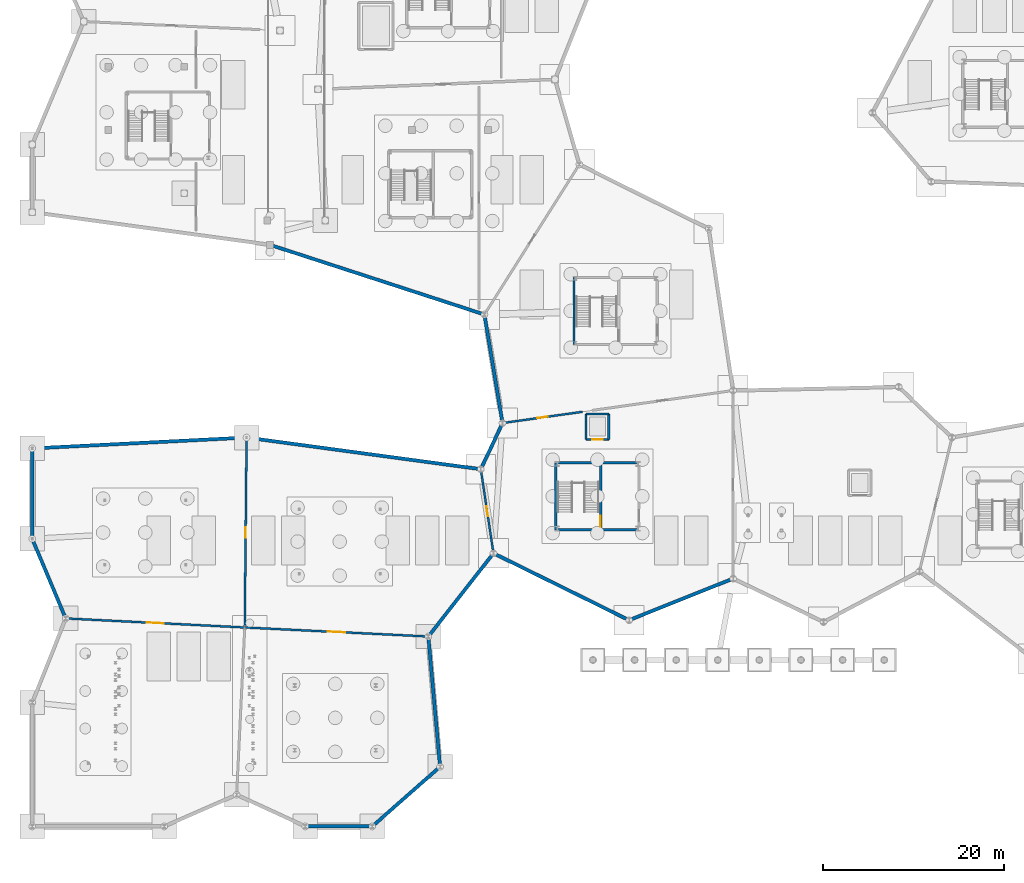
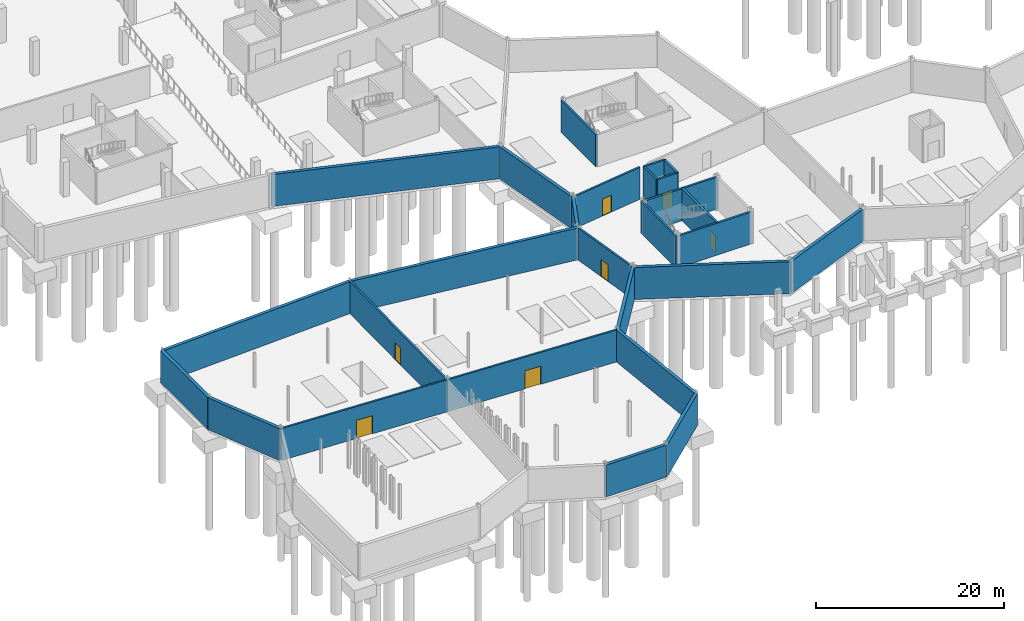
# One storey, part 26 of 37: 27 walls, 7 doors, 7 openings.
"""IFC4 building model written with IfcOpenShell, lengths in metres."""

from ifc_helpers import new_model, si_unit, direction, frame, frame_2d, origin, place, context, subcontext, project, spatial, rectangle, extrude, material, layer, layer_set, type_object, element, fill, save


model = new_model("IFC4")

# Units and contexts
model_context = context("Model", 3, precision=1e-05, world=origin(), true_north=direction((0.0, 1.0)))
body_context = subcontext(model_context, "Body", "Model", "MODEL_VIEW")
ifc_project = project(units=[si_unit("LENGTHUNIT", "METRE"), si_unit("AREAUNIT", "SQUARE_METRE"), si_unit("VOLUMEUNIT", "CUBIC_METRE"), si_unit("PLANEANGLEUNIT", "RADIAN"), si_unit("MASSUNIT", "GRAM", prefix="KILO")], contexts=[model_context])

# Site, building, storey
site_placement = place(None, origin())
site = spatial("IfcSite", under=ifc_project, at=site_placement, CompositionType="ELEMENT")
building_placement = place(site_placement, origin())
building = spatial("IfcBuilding", under=site, at=building_placement, Name="Tameran Prism Museum", CompositionType="ELEMENT")
storey_placement = place(building_placement, frame((0.0, 0.0, -4.5)))
storey = spatial("IfcBuildingStorey", under=building, at=storey_placement, Name="B1", CompositionType="ELEMENT", Elevation=-4.5)

# Walls
ifc_material_1 = material(Name="Concrete N40 (40 MPa)", Category="concrete")
ifc_layer_1 = layer(ifc_material_1, 0.3798828125)
ifc_layer_set_1 = layer_set([ifc_layer_1])
wall_type_1 = type_object("IfcWallType", Name="EW-RET-380", PredefinedType="USERDEFINED", material=ifc_layer_set_1)
wall_1_placement = place(storey_placement, frame((51.044921875, 30.177978515625, 0.0), z_axis=(0.0, 0.0, 1.0), x_axis=(0.896803716147, -0.442428632329, 0.0)))
element("IfcWall", 1, at=wall_1_placement, inside=storey, type_object=wall_type_1, Name="Basement Retaining Wall RW-016", ObjectType="RETAININGWALL", PredefinedType="USERDEFINED", context=body_context, shape_type="SweptSolid", body=[
    extrude(rectangle(XDim=16.676025390625, YDim=0.3798828125, at=frame_2d((8.337890625, 0.0))), origin(), (0.0, 0.0, 1.0), 4.139892578125),
])
wall_2_placement = place(storey_placement, frame((66.0, 22.800048828125, 0.0), z_axis=(0.0, 0.0, 1.0), x_axis=(0.928493068362, 0.371349730044, 0.0)))
element("IfcWall", 2, at=wall_2_placement, inside=storey, type_object=wall_type_1, Name="Basement Retaining Wall RW-017", ObjectType="RETAININGWALL", PredefinedType="USERDEFINED", context=body_context, shape_type="SweptSolid", body=[
    extrude(rectangle(XDim=12.336181640625, YDim=0.3798828125, at=frame_2d((6.16796875, 0.0))), origin(), (0.0, 0.0, 1.0), 4.139892578125),
])
wall_3_placement = place(storey_placement, frame((51.97900390625, 44.554931640625, 0.0), z_axis=(0.0, 0.0, 1.0), x_axis=(-0.42583525687, -0.904800715078, 0.0)))
element("IfcWall", 3, at=wall_3_placement, inside=storey, type_object=wall_type_1, Name="Basement Retaining Wall RW-018", ObjectType="RETAININGWALL", PredefinedType="USERDEFINED", context=body_context, shape_type="SweptSolid", body=[
    extrude(rectangle(XDim=5.537109375, YDim=0.3798828125, at=frame_2d((2.7685546875, 0.0))), origin(), (0.0, 0.0, 1.0), 4.139892578125),
])
wall_4_placement = place(storey_placement, frame((50.008056640625, 56.551025390625, 0.0), z_axis=(0.0, 0.0, 1.0), x_axis=(0.164415392621, -0.986391189473, 0.0)))
element("IfcWall", 4, at=wall_4_placement, inside=storey, type_object=wall_type_1, Name="Basement Retaining Wall RW-023", ObjectType="RETAININGWALL", PredefinedType="USERDEFINED", context=body_context, shape_type="SweptSolid", body=[
    extrude(rectangle(XDim=12.06640625, YDim=0.3798828125, at=frame_2d((6.033203125, 0.0))), origin(), (0.0, 0.0, 1.0), 4.139892578125),
])
wall_5_placement = place(storey_placement, frame((30.199951171875, 0.0, 0.0), z_axis=(0.0, 0.0, 1.0), x_axis=(1.0, 0.0, 0.0)))
element("IfcWall", 5, at=wall_5_placement, inside=storey, type_object=wall_type_1, Name="Basement Retaining Wall RW-042", ObjectType="RETAININGWALL", PredefinedType="USERDEFINED", context=body_context, shape_type="SweptSolid", body=[
    extrude(rectangle(XDim=7.400146484375, YDim=0.3798828125, at=frame_2d((3.7001953125, 0.0))), origin(), (0.0, 0.0, 1.0), 4.139892578125),
])
wall_6_placement = place(storey_placement, frame((37.60009765625, 0.0, 0.0), z_axis=(0.0, 0.0, 1.0), x_axis=(0.75070866914, 0.660633403696, 0.0)))
element("IfcWall", 6, at=wall_6_placement, inside=storey, type_object=wall_type_1, Name="Basement Retaining Wall RW-043", ObjectType="RETAININGWALL", PredefinedType="USERDEFINED", context=body_context, shape_type="SweptSolid", body=[
    extrude(rectangle(XDim=9.990478515625, YDim=0.3798828125, at=frame_2d((4.9951171875, 0.0))), origin(), (0.0, 0.0, 1.0), 4.139892578125),
])
wall_7_placement = place(storey_placement, frame((45.10009765625, 6.60009765625, 0.0), z_axis=(0.0, 0.0, 1.0), x_axis=(-0.089958229703, 0.995945539128, 0.0)))
element("IfcWall", 7, at=wall_7_placement, inside=storey, type_object=wall_type_1, Name="Basement Retaining Wall RW-044", ObjectType="RETAININGWALL", PredefinedType="USERDEFINED", context=body_context, shape_type="SweptSolid", body=[
    extrude(rectangle(XDim=14.408203125, YDim=0.3798828125, at=frame_2d((7.2041015625, 0.0))), origin(), (0.0, 0.0, 1.0), 4.139892578125),
])
wall_8_placement = place(storey_placement, frame((23.64990234375, 42.9970703125, 0.0), z_axis=(0.0, 0.0, 1.0), x_axis=(-0.998721555916, -0.050549517793, 0.0)))
element("IfcWall", 8, at=wall_8_placement, inside=storey, type_object=wall_type_1, Name="Basement Retaining Wall RW-045", ObjectType="RETAININGWALL", PredefinedType="USERDEFINED", context=body_context, shape_type="SweptSolid", body=[
    extrude(rectangle(XDim=23.68017578125, YDim=0.3798828125, at=frame_2d((11.840087890625, 0.0))), origin(), (0.0, 0.0, 1.0), 4.139892578125),
])
wall_9_placement = place(storey_placement, frame((0.0, 41.800048828125, 0.0), z_axis=(0.0, 0.0, 1.0), x_axis=(0.0, -1.0, 0.0)))
element("IfcWall", 9, at=wall_9_placement, inside=storey, type_object=wall_type_1, Name="Basement Retaining Wall RW-046", ObjectType="RETAININGWALL", PredefinedType="USERDEFINED", context=body_context, shape_type="SweptSolid", body=[
    extrude(rectangle(XDim=10.0, YDim=0.3798828125, at=frame_2d((5.0, 0.0))), origin(), (0.0, 0.0, 1.0), 4.139892578125),
])
wall_10_placement = place(storey_placement, frame((0.0, 31.800048828125, 0.0), z_axis=(0.0, 0.0, 1.0), x_axis=(0.38760527231, -0.921825445992, 0.0)))
element("IfcWall", 10, at=wall_10_placement, inside=storey, type_object=wall_type_1, Name="Basement Retaining Wall RW-047", ObjectType="RETAININGWALL", PredefinedType="USERDEFINED", context=body_context, shape_type="SweptSolid", body=[
    extrude(rectangle(XDim=9.49658203125, YDim=0.3798828125, at=frame_2d((4.748291015625, 0.0))), origin(), (0.0, 0.0, 1.0), 4.139892578125),
])
wall_11_placement = place(storey_placement, frame((43.8310546875, 21.0390625, 0.0), z_axis=(0.0, 0.0, 1.0), x_axis=(0.616261088059, 0.787541917199, 0.0)))
element("IfcWall", 11, at=wall_11_placement, inside=storey, type_object=wall_type_1, Name="Basement Retaining Wall RW-048", ObjectType="RETAININGWALL", PredefinedType="USERDEFINED", context=body_context, shape_type="SweptSolid", body=[
    extrude(rectangle(XDim=11.582763671875, YDim=0.3798828125, at=frame_2d((5.79150390625, 0.0))), origin(), (0.0, 0.0, 1.0), 4.139892578125),
])
wall_12_placement = place(storey_placement, frame((49.550048828125, 39.507080078125, 0.0), z_axis=(0.0, 0.0, 1.0), x_axis=(-0.990995760024, 0.133893254555, 0.0)))
element("IfcWall", 12, at=wall_12_placement, inside=storey, type_object=wall_type_1, Name="Basement Retaining Wall RW-049", ObjectType="RETAININGWALL", PredefinedType="USERDEFINED", context=body_context, shape_type="SweptSolid", body=[
    extrude(rectangle(XDim=26.034423828125, YDim=0.3798828125, at=frame_2d((13.01708984375, 0.0))), origin(), (0.0, 0.0, 1.0), 4.139892578125),
])
wall_13_placement = place(storey_placement, frame((26.347900390625, 64.284912109375, 0.0), z_axis=(0.0, 0.0, 1.0), x_axis=(0.951054162367, -0.309024238927, 0.0)))
element("IfcWall", 13, at=wall_13_placement, inside=storey, type_object=wall_type_1, Name="Basement Retaining Wall RW-051", ObjectType="RETAININGWALL", PredefinedType="USERDEFINED", context=body_context, shape_type="SweptSolid", body=[
    extrude(rectangle(XDim=24.81982421875, YDim=0.3798828125, at=frame_2d((12.409912109375, 0.0))), origin(), (0.0, 0.0, 1.0), 4.139892578125),
])

# Wall, opening, door
ifc_material_2 = material(Name="Concrete N40 (40 MPa)", Category="concrete")
ifc_layer_2 = layer(ifc_material_2, 0.22509765625)
ifc_layer_set_2 = layer_set([ifc_layer_2])
wall_type_2 = type_object("IfcWallType", Name="IW-CMP-225", PredefinedType="SOLIDWALL", material=ifc_layer_set_2)
wall_14_placement = place(storey_placement, frame((60.85009765625, 45.84912109375, 0.0), z_axis=(0.0, 0.0, 1.0), x_axis=(-0.990187360524, -0.139746166523, 0.0)))
wall_14 = element("IfcWall", 14, at=wall_14_placement, inside=storey, type_object=wall_type_2, Name="Compartment Wall IW-0008", PredefinedType="SOLIDWALL", context=body_context, shape_type="SweptSolid", body=[
    extrude(rectangle(XDim=8.937744140625, YDim=0.22509765625, at=frame_2d((4.46875, 0.0))), origin(), (0.0, 0.0, 1.0), 4.139892578125),
])
opening_1_placement = place(wall_14_placement, frame((3.868896484375, 0.0, 0.0)))
opening_1 = element("IfcOpeningElement", 15, at=opening_1_placement, cuts=wall_14, Name="Opening ID-0008", PredefinedType="OPENING", context=body_context, shape_type="SweptSolid", body=[
    extrude(rectangle(XDim=1.199951171875, YDim=2.199951171875, at=frame_2d((0.60009765625, 1.10009765625))), frame((0.0, 0.12255859375, 0.0), z_axis=(0.0, -1.0, 0.0), x_axis=(1.0, 0.0, 0.0)), (0.0, 0.0, 1.0), 0.2451171875),
])
ifc_material_3 = material(Name="Fire-Rated Steel Door Leaf and Frame", Category="steel")
door_type_1 = type_object("IfcDoorType", Name="DR-FD-120A", OperationType="NOTDEFINED", PredefinedType="DOOR", material=ifc_material_3)
door_1_placement = place(opening_1_placement, origin())
door_1 = element("IfcDoor", 16, at=door_1_placement, inside=storey, type_object=door_type_1, Name="Compartment Door ID-0008", OperationType="SINGLE_SWING_LEFT", OverallHeight=2.199951171875, OverallWidth=1.199951171875, PredefinedType="DOOR", context=body_context, shape_type="SweptSolid", body=[
    extrude(rectangle(XDim=1.199951171875, YDim=2.199951171875, at=frame_2d((0.60009765625, 1.10009765625))), frame((0.0, 0.02490234375, 0.0), z_axis=(0.0, -1.0, 0.0), x_axis=(1.0, 0.0, 0.0)), (0.0, 0.0, 1.0), 0.050048828125),
])
fill(opening_1, door_1)

wall_15_placement = place(storey_placement, frame((49.60009765625, 39.5, 0.0), z_axis=(0.0, 0.0, 1.0), x_axis=(0.148849460064, -0.988859867847, 0.0)))
wall_15 = element("IfcWall", 17, at=wall_15_placement, inside=storey, type_object=wall_type_2, Name="Compartment Wall IW-0009", PredefinedType="SOLIDWALL", context=body_context, shape_type="SweptSolid", body=[
    extrude(rectangle(XDim=9.40478515625, YDim=0.22509765625, at=frame_2d((4.702392578125, 0.0))), origin(), (0.0, 0.0, 1.0), 4.139892578125),
])
opening_2_placement = place(wall_15_placement, frame((4.126953125, 0.0, 0.0)))
opening_2 = element("IfcOpeningElement", 18, at=opening_2_placement, cuts=wall_15, Name="Opening ID-0009", PredefinedType="OPENING", context=body_context, shape_type="SweptSolid", body=[
    extrude(rectangle(XDim=1.14990234375, YDim=2.199951171875, at=frame_2d((0.574951171875, 1.10009765625))), frame((0.0, 0.12255859375, 0.0), z_axis=(0.0, -1.0, 0.0), x_axis=(1.0, 0.0, 0.0)), (0.0, 0.0, 1.0), 0.2451171875),
])
ifc_material_4 = material(Name="Fire-Rated Steel Door Leaf and Frame", Category="steel")
door_type_2 = type_object("IfcDoorType", Name="DR-FD-120B", OperationType="NOTDEFINED", PredefinedType="DOOR", material=ifc_material_4)
door_2_placement = place(opening_2_placement, origin())
door_2 = element("IfcDoor", 19, at=door_2_placement, inside=storey, type_object=door_type_2, Name="Compartment Door ID-0009", OperationType="SINGLE_SWING_RIGHT", OverallHeight=2.199951171875, OverallWidth=1.14990234375, PredefinedType="DOOR", context=body_context, shape_type="SweptSolid", body=[
    extrude(rectangle(XDim=1.14990234375, YDim=2.199951171875, at=frame_2d((0.574951171875, 1.10009765625))), frame((0.0, 0.02490234375, 0.0), z_axis=(0.0, -1.0, 0.0), x_axis=(1.0, 0.0, 0.0)), (0.0, 0.0, 1.0), 0.050048828125),
])
fill(opening_2, door_2)

wall_16_placement = place(storey_placement, frame((23.5, 22.0, 0.0), z_axis=(0.0, 0.0, 1.0), x_axis=(-0.99872706092, 0.050440636263, 0.0)))
wall_16 = element("IfcWall", 20, at=wall_16_placement, inside=storey, type_object=wall_type_2, Name="Compartment Wall IW-0017", PredefinedType="SOLIDWALL", context=body_context, shape_type="SweptSolid", body=[
    extrude(rectangle(XDim=19.8251953125, YDim=0.22509765625, at=frame_2d((9.91259765625, 0.0))), origin(), (0.0, 0.0, 1.0), 4.139892578125),
])
opening_3_placement = place(wall_16_placement, frame((8.962890625, 0.0, 0.0)))
opening_3 = element("IfcOpeningElement", 21, at=opening_3_placement, cuts=wall_16, Name="Opening ID-0016", PredefinedType="OPENING", context=body_context, shape_type="SweptSolid", body=[
    extrude(rectangle(XDim=1.89990234375, YDim=2.35009765625, at=frame_2d((0.949951171875, 1.175048828125))), frame((0.0, 0.12255859375, 0.0), z_axis=(0.0, -1.0, 0.0), x_axis=(1.0, 0.0, 0.0)), (0.0, 0.0, 1.0), 0.2451171875),
])
ifc_material_5 = material(Name="Fire-Rated Steel Door Leaf and Frame", Category="steel")
door_type_3 = type_object("IfcDoorType", Name="DR-AUD-190", OperationType="DOUBLE_DOOR_SINGLE_SWING", PredefinedType="DOOR", material=ifc_material_5)
door_3_placement = place(opening_3_placement, origin())
door_3 = element("IfcDoor", 22, at=door_3_placement, inside=storey, type_object=door_type_3, Name="Compartment Door ID-0016", OperationType="DOUBLE_DOOR_SINGLE_SWING", OverallHeight=2.35009765625, OverallWidth=1.89990234375, PredefinedType="DOOR", context=body_context, shape_type="SweptSolid", body=[
    extrude(rectangle(XDim=1.89990234375, YDim=2.35009765625, at=frame_2d((0.949951171875, 1.175048828125))), frame((0.0, 0.02490234375, 0.0), z_axis=(0.0, -1.0, 0.0), x_axis=(1.0, 0.0, 0.0)), (0.0, 0.0, 1.0), 0.050048828125),
])
fill(opening_3, door_3)

wall_17_placement = place(storey_placement, frame((43.800048828125, 21.0, 0.0), z_axis=(0.0, 0.0, 1.0), x_axis=(-0.998788882418, 0.049201304434, 0.0)))
wall_17 = element("IfcWall", 23, at=wall_17_placement, inside=storey, type_object=wall_type_2, Name="Compartment Wall IW-0018", PredefinedType="SOLIDWALL", context=body_context, shape_type="SweptSolid", body=[
    extrude(rectangle(XDim=20.32470703125, YDim=0.22509765625, at=frame_2d((10.162353515625, 0.0))), origin(), (0.0, 0.0, 1.0), 4.139892578125),
])
opening_4_placement = place(wall_17_placement, frame((9.2119140625, 0.0, 0.0)))
opening_4 = element("IfcOpeningElement", 24, at=opening_4_placement, cuts=wall_17, Name="Opening ID-0017", PredefinedType="OPENING", context=body_context, shape_type="SweptSolid", body=[
    extrude(rectangle(XDim=1.89990234375, YDim=2.35009765625, at=frame_2d((0.949951171875, 1.175048828125))), frame((0.0, 0.12255859375, 0.0), z_axis=(0.0, -1.0, 0.0), x_axis=(1.0, 0.0, 0.0)), (0.0, 0.0, 1.0), 0.2451171875),
])
door_4_placement = place(opening_4_placement, origin())
door_4 = element("IfcDoor", 25, at=door_4_placement, inside=storey, type_object=door_type_3, Name="Compartment Door ID-0017", OperationType="DOUBLE_DOOR_SINGLE_SWING", OverallHeight=2.35009765625, OverallWidth=1.89990234375, PredefinedType="DOOR", context=body_context, shape_type="SweptSolid", body=[
    extrude(rectangle(XDim=1.89990234375, YDim=2.35009765625, at=frame_2d((0.949951171875, 1.175048828125))), frame((0.0, 0.02490234375, 0.0), z_axis=(0.0, -1.0, 0.0), x_axis=(1.0, 0.0, 0.0)), (0.0, 0.0, 1.0), 0.050048828125),
])
fill(opening_4, door_4)

wall_18_placement = place(storey_placement, frame((23.5, 22.0, 0.0), z_axis=(0.0, 0.0, 1.0), x_axis=(0.009521052802, 0.99995467375, 0.0)))
wall_18 = element("IfcWall", 26, at=wall_18_placement, inside=storey, type_object=wall_type_2, Name="Compartment Wall IW-0019", PredefinedType="SOLIDWALL", context=body_context, shape_type="SweptSolid", body=[
    extrude(rectangle(XDim=21.0009765625, YDim=0.22509765625, at=frame_2d((10.50048828125, 0.0))), origin(), (0.0, 0.0, 1.0), 4.139892578125),
])
opening_5_placement = place(wall_18_placement, frame((9.89990234375, 0.0, 0.0)))
opening_5 = element("IfcOpeningElement", 27, at=opening_5_placement, cuts=wall_18, Name="Opening ID-0018", PredefinedType="OPENING", context=body_context, shape_type="SweptSolid", body=[
    extrude(rectangle(XDim=1.199951171875, YDim=2.199951171875, at=frame_2d((0.60009765625, 1.10009765625))), frame((0.0, 0.12255859375, 0.0), z_axis=(0.0, -1.0, 0.0), x_axis=(1.0, 0.0, 0.0)), (0.0, 0.0, 1.0), 0.2451171875),
])
door_5_placement = place(opening_5_placement, origin())
door_5 = element("IfcDoor", 28, at=door_5_placement, inside=storey, type_object=door_type_1, Name="Compartment Door ID-0018", OperationType="SINGLE_SWING_LEFT", OverallHeight=2.199951171875, OverallWidth=1.199951171875, PredefinedType="DOOR", context=body_context, shape_type="SweptSolid", body=[
    extrude(rectangle(XDim=1.199951171875, YDim=2.199951171875, at=frame_2d((0.60009765625, 1.10009765625))), frame((0.0, 0.02490234375, 0.0), z_axis=(0.0, -1.0, 0.0), x_axis=(1.0, 0.0, 0.0)), (0.0, 0.0, 1.0), 0.050048828125),
])
fill(opening_5, door_5)

# Walls
ifc_material_6 = material(Name="Concrete N40 (40 MPa)", Category="concrete")
ifc_layer_3 = layer(ifc_material_6, 0.25)
ifc_layer_set_3 = layer_set([ifc_layer_3])
wall_type_3 = type_object("IfcWallType", Name="IW-COR-250", PredefinedType="SHEAR", material=ifc_layer_set_3)
wall_19_placement = place(storey_placement, frame((57.89990234375, 32.800048828125, 0.0), z_axis=(0.0, 0.0, 1.0), x_axis=(0.0, 1.0, 0.0)))
element("IfcWall", 29, at=wall_19_placement, inside=storey, type_object=wall_type_3, Name="Core Shear Wall CW-3-B1-W", PredefinedType="SHEAR", context=body_context, shape_type="SweptSolid", body=[
    extrude(rectangle(XDim=7.39990234375, YDim=0.25, at=frame_2d((3.699951171875, 0.0))), origin(), (0.0, 0.0, 1.0), 4.139892578125),
])
for number, where, z_axis, x_axis, name in (
    (30, (57.89990234375, 40.199951171875, 0.0), (0.0, 0.0, 1.0), (1.0, 0.0, 0.0), "Core Shear Wall CW-3-B1-N"),
    (31, (67.10009765625, 32.800048828125, 0.0), (0.0, 0.0, 1.0), (-1.0, 0.0, 0.0), "Core Shear Wall CW-3-B1-S"),
):
    element("IfcWall", number, at=place(storey_placement, frame(where, z_axis=z_axis, x_axis=x_axis)), inside=storey, type_object=wall_type_3, Name=name, PredefinedType="SHEAR", context=body_context, shape_type="SweptSolid", body=[
        extrude(rectangle(XDim=9.2001953125, YDim=0.25, at=frame_2d((4.60009765625, 0.0))), origin(), (0.0, 0.0, 1.0), 4.139892578125),
    ])

# Wall, opening, door
wall_20_placement = place(storey_placement, frame((62.85009765625, 40.199951171875, 0.0), z_axis=(0.0, 0.0, 1.0), x_axis=(0.0, -1.0, 0.0)))
wall_20 = element("IfcWall", 32, at=wall_20_placement, inside=storey, type_object=wall_type_3, Name="Core Shear Wall CW-3-B1-M", PredefinedType="SHEAR", context=body_context, shape_type="SweptSolid", body=[
    extrude(rectangle(XDim=7.39990234375, YDim=0.25, at=frame_2d((3.699951171875, 0.0))), origin(), (0.0, 0.0, 1.0), 4.139892578125),
])
opening_6_placement = place(wall_20_placement, frame((5.85009765625, 0.0, 0.0)))
opening_6 = element("IfcOpeningElement", 33, at=opening_6_placement, cuts=wall_20, Name="Opening FD-0212", PredefinedType="OPENING", context=body_context, shape_type="SweptSolid", body=[
    extrude(rectangle(XDim=1.199951171875, YDim=2.199951171875, at=frame_2d((0.60009765625, 1.10009765625))), frame((0.0, 0.135009765625, 0.0), z_axis=(0.0, -1.0, 0.0), x_axis=(1.0, 0.0, 0.0)), (0.0, 0.0, 1.0), 0.27001953125),
])
door_6_placement = place(opening_6_placement, origin())
door_6 = element("IfcDoor", 34, at=door_6_placement, inside=storey, type_object=door_type_1, Name="Core Fire Door FD-0212", OperationType="SINGLE_SWING_RIGHT", OverallHeight=2.199951171875, OverallWidth=1.199951171875, PredefinedType="DOOR", context=body_context, shape_type="SweptSolid", body=[
    extrude(rectangle(XDim=1.199951171875, YDim=2.199951171875, at=frame_2d((0.60009765625, 1.10009765625))), frame((0.0, 0.02490234375, 0.0), z_axis=(0.0, -1.0, 0.0), x_axis=(1.0, 0.0, 0.0)), (0.0, 0.0, 1.0), 0.050048828125),
])
fill(opening_6, door_6)

# Walls
wall_21_placement = place(storey_placement, frame((59.89990234375, 53.300048828125, 0.0), z_axis=(0.0, 0.0, 1.0), x_axis=(0.0, 1.0, 0.0)))
element("IfcWall", 35, at=wall_21_placement, inside=storey, type_object=wall_type_3, Name="Core Shear Wall CW-8-B1-W", PredefinedType="SHEAR", context=body_context, shape_type="SweptSolid", body=[
    extrude(rectangle(XDim=7.39990234375, YDim=0.25, at=frame_2d((3.699951171875, 0.0))), origin(), (0.0, 0.0, 1.0), 4.139892578125),
])
ifc_material_7 = material(Name="Concrete N40 (40 MPa)", Category="concrete")
ifc_layer_4 = layer(ifc_material_7, 0.239990234375)
ifc_layer_set_4 = layer_set([ifc_layer_4])
wall_type_4 = type_object("IfcWallType", Name="IW-LFT-240", PredefinedType="SHEAR", material=ifc_layer_set_4)
wall_22_placement = place(storey_placement, frame((61.25, 45.60009765625, 0.0), z_axis=(0.0, 0.0, 1.0), x_axis=(1.0, 0.0, 0.0)))
element("IfcWall", 36, at=wall_22_placement, inside=storey, type_object=wall_type_4, Name="Lift Shaft Wall LW-PL01-B1N", PredefinedType="SHEAR", context=body_context, shape_type="SweptSolid", body=[
    extrude(rectangle(XDim=2.5, YDim=0.239990234375, at=frame_2d((1.25, 0.0))), origin(), (0.0, 0.0, 1.0), 4.260009765625),
])
for number, where, z_axis, x_axis, name in (
    (37, (63.75, 45.60009765625, 0.0), (0.0, 0.0, 1.0), (0.0, -1.0, 0.0), "Lift Shaft Wall LW-PL01-B1E"),
    (38, (61.25, 42.800048828125, 0.0), (0.0, 0.0, 1.0), (0.0, 1.0, 0.0), "Lift Shaft Wall LW-PL01-B1W"),
):
    element("IfcWall", number, at=place(storey_placement, frame(where, z_axis=z_axis, x_axis=x_axis)), inside=storey, type_object=wall_type_4, Name=name, PredefinedType="SHEAR", context=body_context, shape_type="SweptSolid", body=[
        extrude(rectangle(XDim=2.800048828125, YDim=0.239990234375, at=frame_2d((1.39990234375, 0.0))), origin(), (0.0, 0.0, 1.0), 4.260009765625),
    ])

# Wall, opening, door
wall_23_placement = place(storey_placement, frame((63.75, 42.800048828125, 0.0), z_axis=(0.0, 0.0, 1.0), x_axis=(-1.0, 0.0, 0.0)))
wall_23 = element("IfcWall", 39, at=wall_23_placement, inside=storey, type_object=wall_type_4, Name="Lift Shaft Wall LW-PL01-B1S", PredefinedType="SHEAR", context=body_context, shape_type="SweptSolid", body=[
    extrude(rectangle(XDim=2.5, YDim=0.239990234375, at=frame_2d((1.25, 0.0))), origin(), (0.0, 0.0, 1.0), 4.260009765625),
])
opening_7_placement = place(wall_23_placement, frame((0.64990234375, 0.0, 0.0)))
opening_7 = element("IfcOpeningElement", 40, at=opening_7_placement, cuts=wall_23, Name="Opening LD-PL01-B1", PredefinedType="OPENING", context=body_context, shape_type="SweptSolid", body=[
    extrude(rectangle(XDim=1.199951171875, YDim=2.199951171875, at=frame_2d((0.60009765625, 1.10009765625))), frame((0.0, 0.1298828125, 0.0), z_axis=(0.0, -1.0, 0.0), x_axis=(1.0, 0.0, 0.0)), (0.0, 0.0, 1.0), 0.260009765625),
])
ifc_material_8 = material(Name="Fire-Rated Steel Door Leaf and Frame", Category="steel")
door_type_4 = type_object("IfcDoorType", Name="DR-LD-PL1", OperationType="SLIDING_TO_LEFT", PredefinedType="DOOR", material=ifc_material_8)
door_7_placement = place(opening_7_placement, origin())
door_7 = element("IfcDoor", 41, at=door_7_placement, inside=storey, type_object=door_type_4, Name="Passenger Lift PL-01 Landing Door B1", OperationType="SLIDING_TO_LEFT", OverallHeight=2.199951171875, OverallWidth=1.199951171875, PredefinedType="DOOR", context=body_context, shape_type="SweptSolid", body=[
    extrude(rectangle(XDim=1.199951171875, YDim=2.199951171875, at=frame_2d((0.60009765625, 1.10009765625))), frame((0.0, 0.02490234375, 0.0), z_axis=(0.0, -1.0, 0.0), x_axis=(1.0, 0.0, 0.0)), (0.0, 0.0, 1.0), 0.050048828125),
])
fill(opening_7, door_7)

save(model, "model.ifc")
